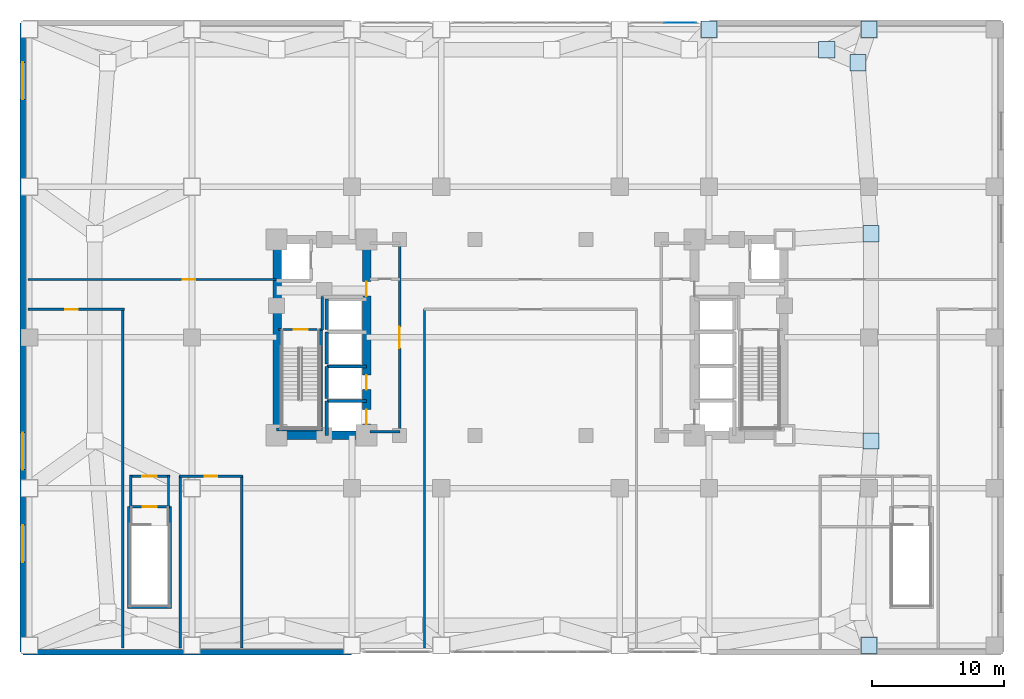
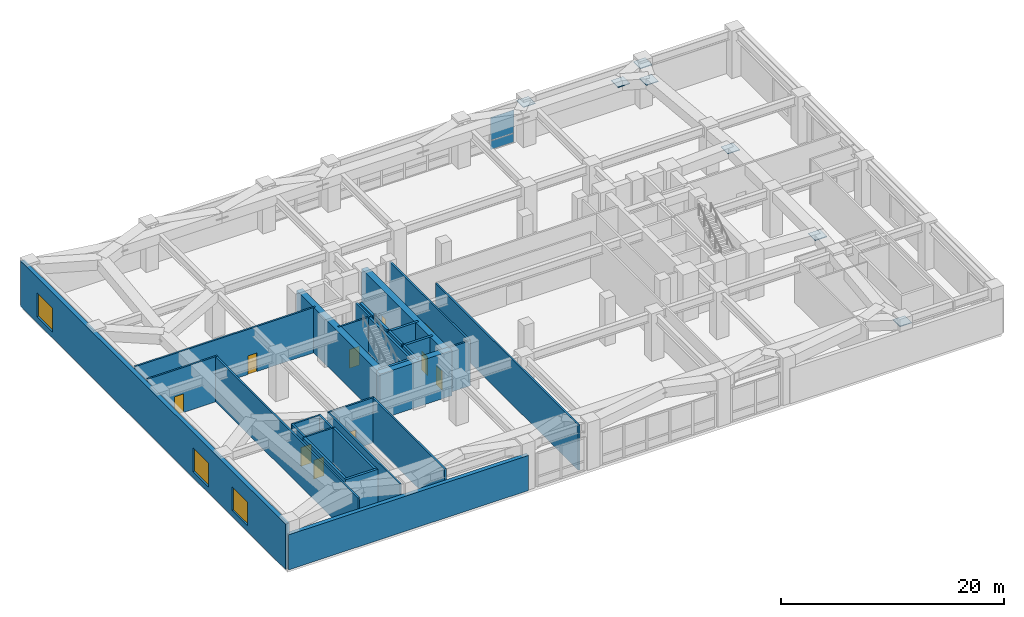
# One storey, part 15 of 20: 31 walls, 10 doors, 9 plates, 3 windows, 13 openings, 1 element without a shape of its own.
"""IFC4 building model written with IfcOpenShell, lengths in metres."""

from ifc_helpers import new_model, si_unit, direction, frame, frame_2d, origin, origin_2d, place, context, subcontext, project, spatial, rectangle, extrude, material, layer, layer_set, type_object, element, fill, aggregate, save


model = new_model("IFC4")

# Units and contexts
model_context = context("Model", 3, precision=1e-05, world=origin(), true_north=direction((0.0, 1.0)))
body_context = subcontext(model_context, "Body", "Model", "MODEL_VIEW")
ifc_project = project(units=[si_unit("LENGTHUNIT", "METRE"), si_unit("AREAUNIT", "SQUARE_METRE"), si_unit("VOLUMEUNIT", "CUBIC_METRE"), si_unit("PLANEANGLEUNIT", "RADIAN"), si_unit("MASSUNIT", "GRAM", prefix="KILO")], contexts=[model_context])

# Site, building, storey
site_placement = place(None, origin())
site = spatial("IfcSite", under=ifc_project, at=site_placement, CompositionType="ELEMENT")
building_placement = place(site_placement, origin())
building = spatial("IfcBuilding", under=site, at=building_placement, Name="Voryun Gate Residences", CompositionType="ELEMENT")
storey_placement = place(building_placement, frame((0.0, 0.0, 20.800048828125)))
storey = spatial("IfcBuildingStorey", under=building, at=storey_placement, Name="L04", CompositionType="ELEMENT", Elevation=20.800048828125)

# Plates
ifc_material_1 = material(Name="Steel SM355", Category="steel")
ifc_layer_1 = layer(ifc_material_1, 0.02490234375, Name="PLT_END_CAP_25")
ifc_layer_set_1 = layer_set([ifc_layer_1], Name="Steel SM355")
plate_type_1 = type_object("IfcPlateType", Name="PLT_END_CAP_25", PredefinedType="USERDEFINED", material=ifc_layer_set_1)
for number, where, z_axis, x_axis, name in (
    (1, (25.75, -7.830078125, 4.35986328125), (0.0, 0.0, 1.0), (1.0, 0.0, 0.0), "L04 Hollow Member End-Cap Plate EC-056"),
    (2, (25.75, 7.830078125, 4.35986328125), (0.0, 0.0, 1.0), (1.0, 0.0, 0.0), "L04 Hollow Member End-Cap Plate EC-057"),
    (3, (24.768798828125, 20.768798828125, 4.35986328125), (0.0, 0.0, 1.0), (1.0, 0.0, 0.0), "L04 Hollow Member End-Cap Plate EC-058"),
    (4, (22.39990234375, 21.75, 4.35986328125), (0.0, 0.0, 1.0), (1.0, 0.0, 0.0), "L04 Hollow Member End-Cap Plate EC-059"),
    (5, (25.60009765625, -23.300048828125, 4.35986328125), (0.0, 0.0, 1.0), (1.0, 0.0, 0.0), "L04 Hollow Member End-Cap Plate EC-075"),
    (6, (25.60009765625, 23.300048828125, 4.35986328125), (0.0, 0.0, 1.0), (1.0, 0.0, 0.0), "L04 Hollow Member End-Cap Plate EC-078"),
    (7, (13.5, 23.300048828125, 4.35986328125), (0.0, 0.0, 1.0), (1.0, 0.0, 0.0), "L04 Hollow Member End-Cap Plate EC-079"),
):
    element("IfcPlate", number, at=place(storey_placement, frame(where, z_axis=z_axis, x_axis=x_axis)), inside=storey, type_object=plate_type_1, Name=name, ObjectType="BASE_PLATE", PredefinedType="USERDEFINED", context=body_context, shape_type="SweptSolid", body=[
        extrude(rectangle(XDim=1.239990234375, YDim=1.239990234375, at=origin_2d()), origin(), (0.0, 0.0, 1.0), 0.080078125),
    ])

# Curtain wall, plates
ifc_material_2 = material(Name="Anodised aluminium", Category="aluminium")
ifc_layer_2 = layer(ifc_material_2, 0.219970703125, Name="CW_SYS_POD_DARK_GLASS")
ifc_layer_set_2 = layer_set([ifc_layer_2], Name="Anodised aluminium")
curtain_wall_type = type_object("IfcCurtainWallType", Name="CW_SYS_POD_DARK_GLASS", PredefinedType="NOTDEFINED", material=ifc_layer_set_2)
curtain_wall_placement = place(storey_placement, origin())
curtain_wall = element("IfcCurtainWall", 8, at=curtain_wall_placement, inside=storey, type_object=curtain_wall_type, Name="Curtain wall CW1-L04-BRG-3-E", PredefinedType="NOTDEFINED")
ifc_material_3 = material(Name="Laminated low-E glass", Category="glass")
ifc_layer_3 = layer(ifc_material_3, 0.048095703125, Name="PLT_GLASS_DARK_POD")
ifc_layer_set_3 = layer_set([ifc_layer_3], Name="Laminated low-E glass")
plate_type_2 = type_object("IfcPlateType", Name="PLT_GLASS_DARK_POD", PredefinedType="CURTAIN_PANEL", material=ifc_layer_set_3)
plate_1_placement = place(storey_placement, frame((11.322509765625, 23.800048828125, 0.06005859375), z_axis=(0.0, 0.0, 1.0), x_axis=(1.0, 0.0, 0.0)))
plate_1 = element("IfcPlate", 9, at=plate_1_placement, type_object=plate_type_2, Name="CW1 panel 2.1", PredefinedType="CURTAIN_PANEL", context=body_context, shape_type="SweptSolid", body=[
    extrude(rectangle(XDim=2.43505859375, YDim=0.028076171875, at=origin_2d()), origin(), (0.0, 0.0, 1.0), 0.9599609375),
])
plate_2_placement = place(storey_placement, frame((11.322509765625, 23.800048828125, 1.080078125), z_axis=(0.0, 0.0, 1.0), x_axis=(1.0, 0.0, 0.0)))
plate_2 = element("IfcPlate", 10, at=plate_2_placement, type_object=plate_type_2, Name="CW1 panel 2.2", PredefinedType="CURTAIN_PANEL", context=body_context, shape_type="SweptSolid", body=[
    extrude(rectangle(XDim=2.43505859375, YDim=0.028076171875, at=origin_2d()), origin(), (0.0, 0.0, 1.0), 2.510009765625),
])
aggregate(curtain_wall, [plate_1, plate_2])

# Walls
ifc_material_4 = material(Name="Concrete C60/75", Category="concrete")
ifc_layer_4 = layer(ifc_material_4, 0.64990234375, Name="CW_CORE_650")
ifc_layer_set_4 = layer_set([ifc_layer_4], Name="Concrete C60/75")
wall_type_1 = type_object("IfcWallType", Name="CW_CORE_650", PredefinedType="SHEAR", material=ifc_layer_set_4)
wall_1_placement = place(storey_placement, frame((-19.52490234375, -7.39990234375, 0.0), z_axis=(0.0, 0.0, 1.0), x_axis=(1.0, 0.0, 0.0)))
element("IfcWall", 11, at=wall_1_placement, inside=storey, type_object=wall_type_1, Name="L04 Core shear wall CW-L04-WS", PredefinedType="SHEAR", context=body_context, shape_type="SweptSolid", body=[
    extrude(rectangle(XDim=7.449951171875, YDim=0.64990234375, at=frame_2d((3.72509765625, 0.0))), origin(), (0.0, 0.0, 1.0), 4.949951171875),
])
wall_2_placement = place(storey_placement, frame((-19.14501953125, -7.39990234375, 0.0), z_axis=(0.0, 0.0, 1.0), x_axis=(0.0, 1.0, 0.0)))
element("IfcWall", 12, at=wall_2_placement, inside=storey, type_object=wall_type_1, Name="L04 Core shear wall CW-L04-WW", PredefinedType="SHEAR", context=body_context, shape_type="SweptSolid", body=[
    extrude(rectangle(XDim=14.7998046875, YDim=0.64990234375, at=frame_2d((7.39990234375, 0.0))), origin(), (0.0, 0.0, 1.0), 4.949951171875),
])

# Wall, openings, doors
wall_3_placement = place(storey_placement, frame((-12.39990234375, -7.39990234375, 0.0), z_axis=(0.0, 0.0, 1.0), x_axis=(0.0, 1.0, 0.0)))
wall_3 = element("IfcWall", 13, at=wall_3_placement, inside=storey, type_object=wall_type_1, Name="L04 Core shear wall CW-L04-WE", PredefinedType="SHEAR", context=body_context, shape_type="SweptSolid", body=[
    extrude(rectangle(XDim=14.7998046875, YDim=0.64990234375, at=frame_2d((7.39990234375, 0.0))), origin(), (0.0, 0.0, 1.0), 4.949951171875),
])
opening_1_placement = place(wall_3_placement, frame((0.85009765625, 0.0, 0.0)))
opening_1 = element("IfcOpeningElement", 14, at=opening_1_placement, cuts=wall_3, Name="Opening LD2", PredefinedType="OPENING", context=body_context, shape_type="SweptSolid", body=[
    extrude(rectangle(XDim=1.10009765625, YDim=2.050048828125, at=frame_2d((0.550048828125, 1.02490234375))), frame((0.0, 0.3349609375, 0.0), z_axis=(0.0, -1.0, 0.0), x_axis=(1.0, 0.0, 0.0)), (0.0, 0.0, 1.0), 0.669921875),
])
opening_2_placement = place(wall_3_placement, frame((3.449951171875, 0.0, 0.0)))
opening_2 = element("IfcOpeningElement", 15, at=opening_2_placement, cuts=wall_3, Name="Opening LD2", PredefinedType="OPENING", context=body_context, shape_type="SweptSolid", body=[
    extrude(rectangle(XDim=1.10009765625, YDim=2.050048828125, at=frame_2d((0.550048828125, 1.02490234375))), frame((0.0, 0.3349609375, 0.0), z_axis=(0.0, -1.0, 0.0), x_axis=(1.0, 0.0, 0.0)), (0.0, 0.0, 1.0), 0.669921875),
])
opening_3_placement = place(wall_3_placement, frame((10.530029296875, 0.0, 0.0)))
opening_3 = element("IfcOpeningElement", 16, at=opening_3_placement, cuts=wall_3, Name="Opening D-FD60-2", PredefinedType="OPENING", context=body_context, shape_type="SweptSolid", body=[
    extrude(rectangle(XDim=1.10009765625, YDim=2.050048828125, at=frame_2d((0.550048828125, 1.02490234375))), frame((0.0, 0.3349609375, 0.0), z_axis=(0.0, -1.0, 0.0), x_axis=(1.0, 0.0, 0.0)), (0.0, 0.0, 1.0), 0.669921875),
])
ifc_material_5 = material(Name="Painted steel fire door", Category="steel")
door_type_1 = type_object("IfcDoorType", Name="DR_FD60_FFLOB_1100", OperationType="NOTDEFINED", PredefinedType="DOOR", material=ifc_material_5)
door_1_placement = place(opening_3_placement, origin())
door_1 = element("IfcDoor", 17, at=door_1_placement, inside=storey, type_object=door_type_1, Name="Door DR-L04-CLOB-W", OperationType="SINGLE_SWING_LEFT", OverallHeight=2.050048828125, OverallWidth=1.10009765625, PredefinedType="DOOR", context=body_context, shape_type="SweptSolid", body=[
    extrude(rectangle(XDim=1.10009765625, YDim=2.050048828125, at=frame_2d((0.550048828125, 1.02490234375))), frame((0.0, 0.02490234375, 0.0), z_axis=(0.0, -1.0, 0.0), x_axis=(1.0, 0.0, 0.0)), (0.0, 0.0, 1.0), 0.050048828125),
])
fill(opening_3, door_1)
ifc_material_6 = material(Name="Anodised aluminium", Category="aluminium")
door_type_2 = type_object("IfcDoorType", Name="DR_LD_PASS_1100", OperationType="NOTDEFINED", PredefinedType="DOOR", material=ifc_material_6)
door_2_placement = place(opening_1_placement, origin())
door_2 = element("IfcDoor", 18, at=door_2_placement, inside=storey, type_object=door_type_2, Name="Lift EL-P1 sliding landing door L04", OperationType="SLIDING_TO_LEFT", OverallHeight=2.050048828125, OverallWidth=1.10009765625, PredefinedType="DOOR", context=body_context, shape_type="SweptSolid", body=[
    extrude(rectangle(XDim=1.10009765625, YDim=2.050048828125, at=frame_2d((0.550048828125, 1.02490234375))), frame((0.0, 0.02490234375, 0.0), z_axis=(0.0, -1.0, 0.0), x_axis=(1.0, 0.0, 0.0)), (0.0, 0.0, 1.0), 0.050048828125),
])
fill(opening_1, door_2)
door_3_placement = place(opening_2_placement, origin())
door_3 = element("IfcDoor", 19, at=door_3_placement, inside=storey, type_object=door_type_2, Name="Lift EL-P2 sliding landing door L04", OperationType="SLIDING_TO_LEFT", OverallHeight=2.050048828125, OverallWidth=1.10009765625, PredefinedType="DOOR", context=body_context, shape_type="SweptSolid", body=[
    extrude(rectangle(XDim=1.10009765625, YDim=2.050048828125, at=frame_2d((0.550048828125, 1.02490234375))), frame((0.0, 0.02490234375, 0.0), z_axis=(0.0, -1.0, 0.0), x_axis=(1.0, 0.0, 0.0)), (0.0, 0.0, 1.0), 0.050048828125),
])
fill(opening_2, door_3)

# Wall, opening, door
ifc_material_7 = material(Name="Gypsum acoustic fireboard")
ifc_layer_5 = layer(ifc_material_7, 0.179931640625, Name="W_CORR_RATED_180")
ifc_layer_set_5 = layer_set([ifc_layer_5], Name="Gypsum acoustic fireboard")
wall_type_2 = type_object("IfcWallType", Name="W_CORR_RATED_180", PredefinedType="PARTITIONING", material=ifc_layer_set_5)
wall_4_placement = place(storey_placement, frame((-19.06005859375, 0.60009765625, 0.0), z_axis=(0.0, 0.0, 1.0), x_axis=(1.0, 0.0, 0.0)))
wall_4 = element("IfcWall", 20, at=wall_4_placement, inside=storey, type_object=wall_type_2, Name="Partition wall WP-L04-STV-W", PredefinedType="PARTITIONING", context=body_context, shape_type="SweptSolid", body=[
    extrude(rectangle(XDim=3.360107421875, YDim=0.179931640625, at=frame_2d((1.68017578125, 0.0))), origin(), (0.0, 0.0, 1.0), 4.949951171875),
])
opening_4_placement = place(wall_4_placement, frame((1.155029296875, 0.0, 0.0)))
opening_4 = element("IfcOpeningElement", 21, at=opening_4_placement, cuts=wall_4, Name="Opening D-FD60-1", PredefinedType="OPENING", context=body_context, shape_type="SweptSolid", body=[
    extrude(rectangle(XDim=1.050048828125, YDim=2.050048828125, at=frame_2d((0.52490234375, 1.02490234375))), frame((0.0, 0.099853515625, 0.0), z_axis=(0.0, -1.0, 0.0), x_axis=(1.0, 0.0, 0.0)), (0.0, 0.0, 1.0), 0.199951171875),
])
ifc_material_8 = material(Name="Painted steel fire door", Category="steel")
door_type_3 = type_object("IfcDoorType", Name="DR_FD60_STAIR_1050", OperationType="NOTDEFINED", PredefinedType="DOOR", material=ifc_material_8)
door_4_placement = place(opening_4_placement, origin())
door_4 = element("IfcDoor", 22, at=door_4_placement, inside=storey, type_object=door_type_3, Name="Door DR-L04-ST-W", OperationType="SINGLE_SWING_LEFT", OverallHeight=2.050048828125, OverallWidth=1.050048828125, PredefinedType="DOOR", context=body_context, shape_type="SweptSolid", body=[
    extrude(rectangle(XDim=1.050048828125, YDim=2.050048828125, at=frame_2d((0.52490234375, 1.02490234375))), frame((0.0, 0.02490234375, 0.0), z_axis=(0.0, -1.0, 0.0), x_axis=(1.0, 0.0, 0.0)), (0.0, 0.0, 1.0), 0.050048828125),
])
fill(opening_4, door_4)

# Walls
wall_5_placement = place(storey_placement, frame((-12.14990234375, -7.1201171875, 0.0), z_axis=(0.0, 0.0, 1.0), x_axis=(1.0, 0.0, 0.0)))
element("IfcWall", 23, at=wall_5_placement, inside=storey, type_object=wall_type_2, Name="Partition wall WP-L04-PLBS-W", PredefinedType="PARTITIONING", context=body_context, shape_type="SweptSolid", body=[
    extrude(rectangle(XDim=2.27001953125, YDim=0.179931640625, at=frame_2d((1.135009765625, 0.0))), origin(), (0.0, 0.0, 1.0), 4.949951171875),
])
for number, where, z_axis, x_axis, name in (
    (24, (-30.219970703125, -12.800048828125, 0.0), (0.0, 0.0, 1.0), (0.0, 1.0, 0.0), "Partition wall WP-L04-ST-P1-VW"),
    (25, (-27.3798828125, -12.800048828125, 0.0), (0.0, 0.0, 1.0), (0.0, 1.0, 0.0), "Partition wall WP-L04-ST-P1-VE"),
):
    element("IfcWall", number, at=place(storey_placement, frame(where, z_axis=z_axis, x_axis=x_axis)), inside=storey, type_object=wall_type_2, Name=name, PredefinedType="PARTITIONING", context=body_context, shape_type="SweptSolid", body=[
        extrude(rectangle(XDim=2.35009765625, YDim=0.179931640625, at=frame_2d((1.175048828125, 0.0))), origin(), (0.0, 0.0, 1.0), 4.949951171875),
    ])

# Wall, opening, door
wall_6_placement = place(storey_placement, frame((-30.320068359375, -12.800048828125, 0.0), z_axis=(0.0, 0.0, 1.0), x_axis=(1.0, 0.0, 0.0)))
wall_6 = element("IfcWall", 26, at=wall_6_placement, inside=storey, type_object=wall_type_2, Name="Partition wall WP-L04-ST-P1-MID", PredefinedType="PARTITIONING", context=body_context, shape_type="SweptSolid", body=[
    extrude(rectangle(XDim=3.0400390625, YDim=0.179931640625, at=frame_2d((1.52001953125, 0.0))), origin(), (0.0, 0.0, 1.0), 4.949951171875),
])
opening_5_placement = place(wall_6_placement, frame((0.9951171875, 0.0, 0.0)))
opening_5 = element("IfcOpeningElement", 27, at=opening_5_placement, cuts=wall_6, Name="Opening D-FD60-1", PredefinedType="OPENING", context=body_context, shape_type="SweptSolid", body=[
    extrude(rectangle(XDim=1.050048828125, YDim=2.050048828125, at=frame_2d((0.52490234375, 1.02490234375))), frame((0.0, 0.099853515625, 0.0), z_axis=(0.0, -1.0, 0.0), x_axis=(1.0, 0.0, 0.0)), (0.0, 0.0, 1.0), 0.199951171875),
])
door_5_placement = place(opening_5_placement, origin())
door_5 = element("IfcDoor", 28, at=door_5_placement, inside=storey, type_object=door_type_3, Name="Door DR-L04-ST-P1-IN", OperationType="SINGLE_SWING_LEFT", OverallHeight=2.050048828125, OverallWidth=1.050048828125, PredefinedType="DOOR", context=body_context, shape_type="SweptSolid", body=[
    extrude(rectangle(XDim=1.050048828125, YDim=2.050048828125, at=frame_2d((0.52490234375, 1.02490234375))), frame((0.0, 0.02490234375, 0.0), z_axis=(0.0, -1.0, 0.0), x_axis=(1.0, 0.0, 0.0)), (0.0, 0.0, 1.0), 0.050048828125),
])
fill(opening_5, door_5)

wall_7_placement = place(storey_placement, frame((-30.320068359375, -10.5, 0.0), z_axis=(0.0, 0.0, 1.0), x_axis=(1.0, 0.0, 0.0)))
wall_7 = element("IfcWall", 29, at=wall_7_placement, inside=storey, type_object=wall_type_2, Name="Partition wall WP-L04-ST-P1-N", PredefinedType="PARTITIONING", context=body_context, shape_type="SweptSolid", body=[
    extrude(rectangle(XDim=3.0400390625, YDim=0.179931640625, at=frame_2d((1.52001953125, 0.0))), origin(), (0.0, 0.0, 1.0), 4.949951171875),
])
opening_6_placement = place(wall_7_placement, frame((0.969970703125, 0.0, 0.0)))
opening_6 = element("IfcOpeningElement", 30, at=opening_6_placement, cuts=wall_7, Name="Opening D-FD60-2", PredefinedType="OPENING", context=body_context, shape_type="SweptSolid", body=[
    extrude(rectangle(XDim=1.10009765625, YDim=2.050048828125, at=frame_2d((0.550048828125, 1.02490234375))), frame((0.0, 0.099853515625, 0.0), z_axis=(0.0, -1.0, 0.0), x_axis=(1.0, 0.0, 0.0)), (0.0, 0.0, 1.0), 0.199951171875),
])
door_6_placement = place(opening_6_placement, origin())
door_6 = element("IfcDoor", 31, at=door_6_placement, inside=storey, type_object=door_type_1, Name="Door DR-L04-ST-P1-OUT", OperationType="SINGLE_SWING_RIGHT", OverallHeight=2.050048828125, OverallWidth=1.10009765625, PredefinedType="DOOR", context=body_context, shape_type="SweptSolid", body=[
    extrude(rectangle(XDim=1.10009765625, YDim=2.050048828125, at=frame_2d((0.550048828125, 1.02490234375))), frame((0.0, 0.02490234375, 0.0), z_axis=(0.0, -1.0, 0.0), x_axis=(1.0, 0.0, 0.0)), (0.0, 0.0, 1.0), 0.050048828125),
])
fill(opening_6, door_6)

wall_8_placement = place(storey_placement, frame((-9.89990234375, -7.1201171875, 0.0), z_axis=(0.0, 0.0, 1.0), x_axis=(0.0, 1.0, 0.0)))
wall_8 = element("IfcWall", 32, at=wall_8_placement, inside=storey, type_object=wall_type_2, Name="Partition wall WP-L04-PLBW", PredefinedType="PARTITIONING", context=body_context, shape_type="SweptSolid", body=[
    extrude(rectangle(XDim=14.240234375, YDim=0.179931640625, at=frame_2d((7.1201171875, 0.0))), origin(), (0.0, 0.0, 1.0), 4.949951171875),
])
opening_7_placement = place(wall_8_placement, frame((6.320068359375, 0.0, 0.0)))
opening_7 = element("IfcOpeningElement", 33, at=opening_7_placement, cuts=wall_8, Name="Opening D-FD30-1", PredefinedType="OPENING", context=body_context, shape_type="SweptSolid", body=[
    extrude(rectangle(XDim=1.60009765625, YDim=2.050048828125, at=frame_2d((0.800048828125, 1.02490234375))), frame((0.0, 0.099853515625, 0.0), z_axis=(0.0, -1.0, 0.0), x_axis=(1.0, 0.0, 0.0)), (0.0, 0.0, 1.0), 0.199951171875),
])
ifc_material_9 = material(Name="Glazed aluminium fire door", Category="aluminium")
door_type_4 = type_object("IfcDoorType", Name="DR_CORR_SMOKE_1600", OperationType="NOTDEFINED", PredefinedType="DOOR", material=ifc_material_9)
door_7_placement = place(opening_7_placement, origin())
door_7 = element("IfcDoor", 34, at=door_7_placement, inside=storey, type_object=door_type_4, Name="Door DR-L04-PLBW", OperationType="DOUBLE_DOOR_SINGLE_SWING", OverallHeight=2.050048828125, OverallWidth=1.60009765625, PredefinedType="DOOR", context=body_context, shape_type="SweptSolid", body=[
    extrude(rectangle(XDim=1.60009765625, YDim=2.050048828125, at=frame_2d((0.800048828125, 1.02490234375))), frame((0.0, 0.02490234375, 0.0), z_axis=(0.0, -1.0, 0.0), x_axis=(1.0, 0.0, 0.0)), (0.0, 0.0, 1.0), 0.050048828125),
])
fill(opening_7, door_7)

# Walls
wall_9_placement = place(storey_placement, frame((-8.02001953125, -23.5, 0.0), z_axis=(0.0, 0.0, 1.0), x_axis=(0.0, 1.0, 0.0)))
element("IfcWall", 35, at=wall_9_placement, inside=storey, type_object=wall_type_2, Name="Partition wall WP-L04-HLW", PredefinedType="PARTITIONING", context=body_context, shape_type="SweptSolid", body=[
    extrude(rectangle(XDim=25.64990234375, YDim=0.179931640625, at=frame_2d((12.824951171875, 0.0))), origin(), (0.0, 0.0, 1.0), 4.949951171875),
])
for number, where, z_axis, x_axis, name in (
    (36, (-26.5, -23.5, 0.0), (0.0, 0.0, 1.0), (0.0, 1.0, 0.0), "Partition wall WP-L04-LGW1"),
    (37, (-21.85009765625, -23.5, 0.0), (0.0, 0.0, 1.0), (0.0, 1.0, 0.0), "Partition wall WP-L04-LGW2"),
):
    element("IfcWall", number, at=place(storey_placement, frame(where, z_axis=z_axis, x_axis=x_axis)), inside=storey, type_object=wall_type_2, Name=name, PredefinedType="PARTITIONING", context=body_context, shape_type="SweptSolid", body=[
        extrude(rectangle(XDim=13.050048828125, YDim=0.179931640625, at=frame_2d((6.52490234375, 0.0))), origin(), (0.0, 0.0, 1.0), 4.949951171875),
    ])

# Wall, opening, door
wall_10_placement = place(storey_placement, frame((-26.550048828125, -10.5, 0.0), z_axis=(0.0, 0.0, 1.0), x_axis=(1.0, 0.0, 0.0)))
wall_10 = element("IfcWall", 38, at=wall_10_placement, inside=storey, type_object=wall_type_2, Name="Partition wall WP-L04-LGW3", PredefinedType="PARTITIONING", context=body_context, shape_type="SweptSolid", body=[
    extrude(rectangle(XDim=4.75, YDim=0.179931640625, at=frame_2d((2.375, 0.0))), origin(), (0.0, 0.0, 1.0), 4.949951171875),
])
opening_8_placement = place(wall_10_placement, frame((1.89990234375, 0.0, 0.0)))
opening_8 = element("IfcOpeningElement", 39, at=opening_8_placement, cuts=wall_10, Name="Opening D-INT-1", PredefinedType="OPENING", context=body_context, shape_type="SweptSolid", body=[
    extrude(rectangle(XDim=0.949951171875, YDim=2.050048828125, at=frame_2d((0.47509765625, 1.02490234375))), frame((0.0, 0.099853515625, 0.0), z_axis=(0.0, -1.0, 0.0), x_axis=(1.0, 0.0, 0.0)), (0.0, 0.0, 1.0), 0.199951171875),
])
ifc_material_10 = material(Name="Architectural oak veneer")
door_type_5 = type_object("IfcDoorType", Name="DR_INT_ROOM_950", OperationType="NOTDEFINED", PredefinedType="DOOR", material=ifc_material_10)
door_8_placement = place(opening_8_placement, origin())
door_8 = element("IfcDoor", 40, at=door_8_placement, inside=storey, type_object=door_type_5, Name="Door DR-L04-LGE2", OperationType="SINGLE_SWING_LEFT", OverallHeight=2.050048828125, OverallWidth=0.949951171875, PredefinedType="DOOR", context=body_context, shape_type="SweptSolid", body=[
    extrude(rectangle(XDim=0.949951171875, YDim=2.050048828125, at=frame_2d((0.47509765625, 1.02490234375))), frame((0.0, 0.02490234375, 0.0), z_axis=(0.0, -1.0, 0.0), x_axis=(1.0, 0.0, 0.0)), (0.0, 0.0, 1.0), 0.050048828125),
])
fill(opening_8, door_8)

wall_11_placement = place(storey_placement, frame((-38.0, 2.1201171875, 0.0), z_axis=(0.0, 0.0, 1.0), x_axis=(1.0, 0.0, 0.0)))
wall_11 = element("IfcWall", 41, at=wall_11_placement, inside=storey, type_object=wall_type_2, Name="Partition wall WP-L04-CS1", PredefinedType="PARTITIONING", context=body_context, shape_type="SweptSolid", body=[
    extrude(rectangle(XDim=7.300048828125, YDim=0.179931640625, at=frame_2d((3.64990234375, 0.0))), origin(), (0.0, 0.0, 1.0), 4.949951171875),
])
opening_9_placement = place(wall_11_placement, frame((2.81005859375, 0.0, 0.0)))
opening_9 = element("IfcOpeningElement", 42, at=opening_9_placement, cuts=wall_11, Name="Opening D-INT-1", PredefinedType="OPENING", context=body_context, shape_type="SweptSolid", body=[
    extrude(rectangle(XDim=0.949951171875, YDim=2.050048828125, at=frame_2d((0.47509765625, 1.02490234375))), frame((0.0, 0.099853515625, 0.0), z_axis=(0.0, -1.0, 0.0), x_axis=(1.0, 0.0, 0.0)), (0.0, 0.0, 1.0), 0.199951171875),
])
door_9_placement = place(opening_9_placement, origin())
door_9 = element("IfcDoor", 43, at=door_9_placement, inside=storey, type_object=door_type_5, Name="Door DR-L04-KIT", OperationType="SINGLE_SWING_LEFT", OverallHeight=2.050048828125, OverallWidth=0.949951171875, PredefinedType="DOOR", context=body_context, shape_type="SweptSolid", body=[
    extrude(rectangle(XDim=0.949951171875, YDim=2.050048828125, at=frame_2d((0.47509765625, 1.02490234375))), frame((0.0, 0.02490234375, 0.0), z_axis=(0.0, -1.0, 0.0), x_axis=(1.0, 0.0, 0.0)), (0.0, 0.0, 1.0), 0.050048828125),
])
fill(opening_9, door_9)

# Wall
wall_12_placement = place(storey_placement, frame((-30.85009765625, -23.5, 0.0), z_axis=(0.0, 0.0, 1.0), x_axis=(0.0, 1.0, 0.0)))
element("IfcWall", 44, at=wall_12_placement, inside=storey, type_object=wall_type_2, Name="Partition wall WP-L04-CS1X", PredefinedType="PARTITIONING", context=body_context, shape_type="SweptSolid", body=[
    extrude(rectangle(XDim=25.679931640625, YDim=0.179931640625, at=frame_2d((12.83984375, 0.0))), origin(), (0.0, 0.0, 1.0), 4.949951171875),
])

# Wall, opening, door
wall_13_placement = place(storey_placement, frame((-38.0, 4.3798828125, 0.0), z_axis=(0.0, 0.0, 1.0), x_axis=(1.0, 0.0, 0.0)))
wall_13 = element("IfcWall", 45, at=wall_13_placement, inside=storey, type_object=wall_type_2, Name="Partition wall WP-L04-CN1", PredefinedType="PARTITIONING", context=body_context, shape_type="SweptSolid", body=[
    extrude(rectangle(XDim=18.75, YDim=0.179931640625, at=frame_2d((9.375, 0.0))), origin(), (0.0, 0.0, 1.0), 4.949951171875),
])
opening_10_placement = place(wall_13_placement, frame((11.71240234375, 0.0, 0.0)))
opening_10 = element("IfcOpeningElement", 46, at=opening_10_placement, cuts=wall_13, Name="Opening D-INT-1", PredefinedType="OPENING", context=body_context, shape_type="SweptSolid", body=[
    extrude(rectangle(XDim=0.949951171875, YDim=2.050048828125, at=frame_2d((0.47509765625, 1.02490234375))), frame((0.0, 0.099853515625, 0.0), z_axis=(0.0, -1.0, 0.0), x_axis=(1.0, 0.0, 0.0)), (0.0, 0.0, 1.0), 0.199951171875),
])
door_10_placement = place(opening_10_placement, origin())
door_10 = element("IfcDoor", 47, at=door_10_placement, inside=storey, type_object=door_type_5, Name="Door DR-L04-SCRN", OperationType="SINGLE_SWING_RIGHT", OverallHeight=2.050048828125, OverallWidth=0.949951171875, PredefinedType="DOOR", context=body_context, shape_type="SweptSolid", body=[
    extrude(rectangle(XDim=0.949951171875, YDim=2.050048828125, at=frame_2d((0.47509765625, 1.02490234375))), frame((0.0, 0.02490234375, 0.0), z_axis=(0.0, -1.0, 0.0), x_axis=(1.0, 0.0, 0.0)), (0.0, 0.0, 1.0), 0.050048828125),
])
fill(opening_10, door_10)

# Wall
ifc_material_11 = material(Name="Granite masonry", Category="masonry")
ifc_layer_6 = layer(ifc_material_11, 0.419921875, Name="W_EXT_PODIUM_420")
ifc_layer_set_6 = layer_set([ifc_layer_6], Name="Granite masonry")
wall_type_3 = type_object("IfcWallType", Name="W_EXT_PODIUM_420", PredefinedType="ELEMENTEDWALL", material=ifc_layer_set_6)
wall_14_placement = place(storey_placement, frame((-38.39990234375, -23.800048828125, 0.0), z_axis=(0.0, 0.0, 1.0), x_axis=(1.0, 0.0, 0.0)))
element("IfcWall", 48, at=wall_14_placement, inside=storey, type_object=wall_type_3, Name="Exterior wall WEP-L04-1A", PredefinedType="ELEMENTEDWALL", context=body_context, shape_type="SweptSolid", body=[
    extrude(rectangle(XDim=24.849853515625, YDim=0.419921875, at=frame_2d((12.4248046875, 0.0))), origin(), (0.0, 0.0, 1.0), 3.83984375),
])

# Wall, openings, windows
wall_15_placement = place(storey_placement, frame((-38.39990234375, 23.800048828125, 0.0), z_axis=(0.0, 0.0, 1.0), x_axis=(0.0, -1.0, 0.0)))
wall_15 = element("IfcWall", 49, at=wall_15_placement, inside=storey, type_object=wall_type_3, Name="Exterior wall WEP-L04-4", PredefinedType="ELEMENTEDWALL", context=body_context, shape_type="SweptSolid", body=[
    extrude(rectangle(XDim=47.60009765625, YDim=0.419921875, at=frame_2d((23.800048828125, 0.0))), origin(), (0.0, 0.0, 1.0), 4.949951171875),
])
opening_11_placement = place(wall_15_placement, frame((3.0, 0.0, 0.64990234375)))
opening_11 = element("IfcOpeningElement", 50, at=opening_11_placement, cuts=wall_15, Name="Opening WN5", PredefinedType="OPENING", context=body_context, shape_type="SweptSolid", body=[
    extrude(rectangle(XDim=2.800048828125, YDim=2.60009765625, at=frame_2d((1.39990234375, 1.300048828125))), frame((0.0, 0.219970703125, 0.0), z_axis=(0.0, -1.0, 0.0), x_axis=(1.0, 0.0, 0.0)), (0.0, 0.0, 1.0), 0.43994140625),
])
opening_12_placement = place(wall_15_placement, frame((31.0, 0.0, 0.64990234375)))
opening_12 = element("IfcOpeningElement", 51, at=opening_12_placement, cuts=wall_15, Name="Opening WN5", PredefinedType="OPENING", context=body_context, shape_type="SweptSolid", body=[
    extrude(rectangle(XDim=2.800048828125, YDim=2.60009765625, at=frame_2d((1.39990234375, 1.300048828125))), frame((0.0, 0.219970703125, 0.0), z_axis=(0.0, -1.0, 0.0), x_axis=(1.0, 0.0, 0.0)), (0.0, 0.0, 1.0), 0.43994140625),
])
opening_13_placement = place(wall_15_placement, frame((38.0, 0.0, 0.64990234375)))
opening_13 = element("IfcOpeningElement", 52, at=opening_13_placement, cuts=wall_15, Name="Opening WN5", PredefinedType="OPENING", context=body_context, shape_type="SweptSolid", body=[
    extrude(rectangle(XDim=2.800048828125, YDim=2.60009765625, at=frame_2d((1.39990234375, 1.300048828125))), frame((0.0, 0.219970703125, 0.0), z_axis=(0.0, -1.0, 0.0), x_axis=(1.0, 0.0, 0.0)), (0.0, 0.0, 1.0), 0.43994140625),
])
ifc_material_12 = material(Name="Laminated low-E glass", Category="glass")
window_type = type_object("IfcWindowType", Name="WN_POD_GALLERY_2800", PartitioningType="SINGLE_PANEL", PredefinedType="WINDOW", material=ifc_material_12)
window_1_placement = place(opening_11_placement, origin())
window_1 = element("IfcWindow", 53, at=window_1_placement, inside=storey, type_object=window_type, Name="Window WN-L04-4-01", OverallHeight=2.60009765625, OverallWidth=2.800048828125, PartitioningType="SINGLE_PANEL", PredefinedType="WINDOW", context=body_context, shape_type="SweptSolid", body=[
    extrude(rectangle(XDim=2.800048828125, YDim=2.60009765625, at=frame_2d((1.39990234375, 1.300048828125))), frame((0.0, 0.030029296875, 0.0), z_axis=(0.0, -1.0, 0.0), x_axis=(1.0, 0.0, 0.0)), (0.0, 0.0, 1.0), 0.06005859375),
])
fill(opening_11, window_1)
window_2_placement = place(opening_12_placement, origin())
window_2 = element("IfcWindow", 54, at=window_2_placement, inside=storey, type_object=window_type, Name="Window WN-L04-4-05", OverallHeight=2.60009765625, OverallWidth=2.800048828125, PartitioningType="SINGLE_PANEL", PredefinedType="WINDOW", context=body_context, shape_type="SweptSolid", body=[
    extrude(rectangle(XDim=2.800048828125, YDim=2.60009765625, at=frame_2d((1.39990234375, 1.300048828125))), frame((0.0, 0.030029296875, 0.0), z_axis=(0.0, -1.0, 0.0), x_axis=(1.0, 0.0, 0.0)), (0.0, 0.0, 1.0), 0.06005859375),
])
fill(opening_12, window_2)
window_3_placement = place(opening_13_placement, origin())
window_3 = element("IfcWindow", 55, at=window_3_placement, inside=storey, type_object=window_type, Name="Window WN-L04-4-06", OverallHeight=2.60009765625, OverallWidth=2.800048828125, PartitioningType="SINGLE_PANEL", PredefinedType="WINDOW", context=body_context, shape_type="SweptSolid", body=[
    extrude(rectangle(XDim=2.800048828125, YDim=2.60009765625, at=frame_2d((1.39990234375, 1.300048828125))), frame((0.0, 0.030029296875, 0.0), z_axis=(0.0, -1.0, 0.0), x_axis=(1.0, 0.0, 0.0)), (0.0, 0.0, 1.0), 0.06005859375),
])
fill(opening_13, window_3)

# Walls
ifc_material_13 = material(Name="Concrete C40/50", Category="concrete")
ifc_layer_7 = layer(ifc_material_13, 0.199951171875, Name="W_FF_LOBBY_200")
ifc_layer_set_7 = layer_set([ifc_layer_7], Name="Concrete C40/50")
wall_type_4 = type_object("IfcWallType", Name="W_FF_LOBBY_200", PredefinedType="PARTITIONING", material=ifc_layer_set_7)
wall_16_placement = place(storey_placement, frame((-15.760009765625, 0.580078125, 0.0), z_axis=(0.0, 0.0, 1.0), x_axis=(0.0, 1.0, 0.0)))
element("IfcWall", 56, at=wall_16_placement, inside=storey, type_object=wall_type_4, Name="Partition wall WP-L04-FFP0-W", PredefinedType="PARTITIONING", context=body_context, shape_type="SweptSolid", body=[
    extrude(rectangle(XDim=2.52001953125, YDim=0.199951171875, at=frame_2d((1.260009765625, 0.0))), origin(), (0.0, 0.0, 1.0), 4.949951171875),
])
ifc_material_14 = material(Name="Concrete C50/60", Category="concrete")
ifc_layer_8 = layer(ifc_material_14, 0.25, Name="W_SHAFT_RC250")
ifc_layer_set_8 = layer_set([ifc_layer_8], Name="Concrete C50/60")
wall_type_5 = type_object("IfcWallType", Name="W_SHAFT_RC250", PredefinedType="SOLIDWALL", material=ifc_layer_set_8)
wall_17_placement = place(storey_placement, frame((-15.860107421875, -7.0849609375, 0.0), z_axis=(0.0, 0.0, 1.0), x_axis=(0.0, 1.0, 0.0)))
element("IfcWall", 57, at=wall_17_placement, inside=storey, type_object=wall_type_5, Name="L04 Stair shaft structural wall W-STR", PredefinedType="SOLIDWALL", context=body_context, shape_type="SweptSolid", body=[
    extrude(rectangle(XDim=7.68505859375, YDim=0.25, at=frame_2d((3.842529296875, 0.0))), origin(), (0.0, 0.0, 1.0), 4.949951171875),
])
wall_18_placement = place(storey_placement, frame((-19.199951171875, -6.965087890625, 0.0), z_axis=(0.0, 0.0, 1.0), x_axis=(1.0, 0.0, 0.0)))
element("IfcWall", 58, at=wall_18_placement, inside=storey, type_object=wall_type_5, Name="L04 Stair shaft structural wall W-STS", PredefinedType="SOLIDWALL", context=body_context, shape_type="SweptSolid", body=[
    extrude(rectangle(XDim=3.4599609375, YDim=0.25, at=frame_2d((1.72998046875, 0.0))), origin(), (0.0, 0.0, 1.0), 4.949951171875),
])
for number, where, z_axis, x_axis, name in (
    (59, (-30.340087890625, -20.485107421875, 0.0), (0.0, 0.0, 1.0), (0.0, 1.0, 0.0), "L04 Podium stair structural wall STP1-W"),
    (60, (-27.260009765625, -20.485107421875, 0.0), (0.0, 0.0, 1.0), (0.0, 1.0, 0.0), "L04 Podium stair structural wall STP1-E"),
):
    element("IfcWall", number, at=place(storey_placement, frame(where, z_axis=z_axis, x_axis=x_axis)), inside=storey, type_object=wall_type_5, Name=name, PredefinedType="SOLIDWALL", context=body_context, shape_type="SweptSolid", body=[
        extrude(rectangle(XDim=7.68505859375, YDim=0.25, at=frame_2d((3.842529296875, 0.0))), origin(), (0.0, 0.0, 1.0), 4.949951171875),
    ])
wall_19_placement = place(storey_placement, frame((-30.4599609375, -20.364990234375, 0.0), z_axis=(0.0, 0.0, 1.0), x_axis=(1.0, 0.0, 0.0)))
element("IfcWall", 61, at=wall_19_placement, inside=storey, type_object=wall_type_5, Name="L04 Podium stair structural wall STP1-S", PredefinedType="SOLIDWALL", context=body_context, shape_type="SweptSolid", body=[
    extrude(rectangle(XDim=3.320068359375, YDim=0.25, at=frame_2d((1.66015625, 0.0))), origin(), (0.0, 0.0, 1.0), 4.949951171875),
])
wall_20_placement = place(storey_placement, frame((-12.39990234375, -4.800048828125, 0.0), z_axis=(0.0, 0.0, 1.0), x_axis=(-1.0, 0.0, 0.0)))
element("IfcWall", 62, at=wall_20_placement, inside=storey, type_object=wall_type_5, Name="Lift shaft wall WSH-L04-EL-P1-N", PredefinedType="SOLIDWALL", context=body_context, shape_type="SweptSolid", body=[
    extrude(rectangle(XDim=3.0, YDim=0.25, at=frame_2d((1.5, 0.0))), origin(), (0.0, 0.0, 1.0), 4.949951171875),
])
wall_21_placement = place(storey_placement, frame((-15.39990234375, -4.800048828125, 0.0), z_axis=(0.0, 0.0, 1.0), x_axis=(0.0, -1.0, 0.0)))
element("IfcWall", 63, at=wall_21_placement, inside=storey, type_object=wall_type_5, Name="Lift shaft wall WSH-L04-EL-P1-W", PredefinedType="SOLIDWALL", context=body_context, shape_type="SweptSolid", body=[
    extrude(rectangle(XDim=2.599853515625, YDim=0.25, at=frame_2d((1.2998046875, 0.0))), origin(), (0.0, 0.0, 1.0), 4.949951171875),
])
wall_22_placement = place(storey_placement, frame((-12.39990234375, -2.199951171875, 0.0), z_axis=(0.0, 0.0, 1.0), x_axis=(-1.0, 0.0, 0.0)))
element("IfcWall", 64, at=wall_22_placement, inside=storey, type_object=wall_type_5, Name="Lift shaft wall WSH-L04-EL-P2-N", PredefinedType="SOLIDWALL", context=body_context, shape_type="SweptSolid", body=[
    extrude(rectangle(XDim=3.0, YDim=0.25, at=frame_2d((1.5, 0.0))), origin(), (0.0, 0.0, 1.0), 4.949951171875),
])
wall_23_placement = place(storey_placement, frame((-15.39990234375, -2.199951171875, 0.0), z_axis=(0.0, 0.0, 1.0), x_axis=(0.0, -1.0, 0.0)))
element("IfcWall", 65, at=wall_23_placement, inside=storey, type_object=wall_type_5, Name="Lift shaft wall WSH-L04-EL-P2-W", PredefinedType="SOLIDWALL", context=body_context, shape_type="SweptSolid", body=[
    extrude(rectangle(XDim=2.400146484375, YDim=0.25, at=frame_2d((1.2001953125, 0.0))), origin(), (0.0, 0.0, 1.0), 4.949951171875),
])
wall_24_placement = place(storey_placement, frame((-15.39990234375, 0.39990234375, 0.0), z_axis=(0.0, 0.0, 1.0), x_axis=(0.0, -1.0, 0.0)))
element("IfcWall", 66, at=wall_24_placement, inside=storey, type_object=wall_type_5, Name="Lift shaft wall WSH-L04-EL-P4-W", PredefinedType="SOLIDWALL", context=body_context, shape_type="SweptSolid", body=[
    extrude(rectangle(XDim=2.39990234375, YDim=0.25, at=frame_2d((1.199951171875, 0.0))), origin(), (0.0, 0.0, 1.0), 4.949951171875),
])
wall_25_placement = place(storey_placement, frame((-15.39990234375, 2.89990234375, 0.0), z_axis=(0.0, 0.0, 1.0), x_axis=(0.0, -1.0, 0.0)))
element("IfcWall", 67, at=wall_25_placement, inside=storey, type_object=wall_type_5, Name="Lift shaft wall WSH-L04-EL-P7-W", PredefinedType="SOLIDWALL", context=body_context, shape_type="SweptSolid", body=[
    extrude(rectangle(XDim=2.2998046875, YDim=0.25, at=frame_2d((1.14990234375, 0.0))), origin(), (0.0, 0.0, 1.0), 4.949951171875),
])

save(model, "model.ifc")
